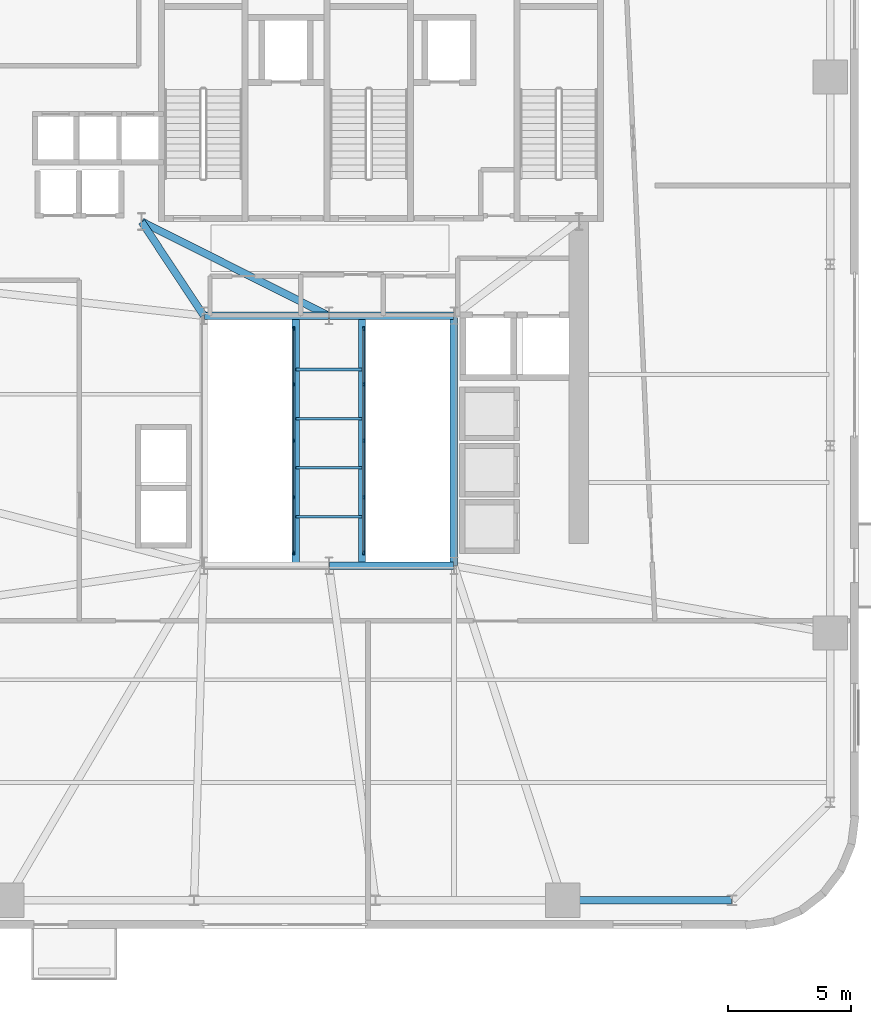
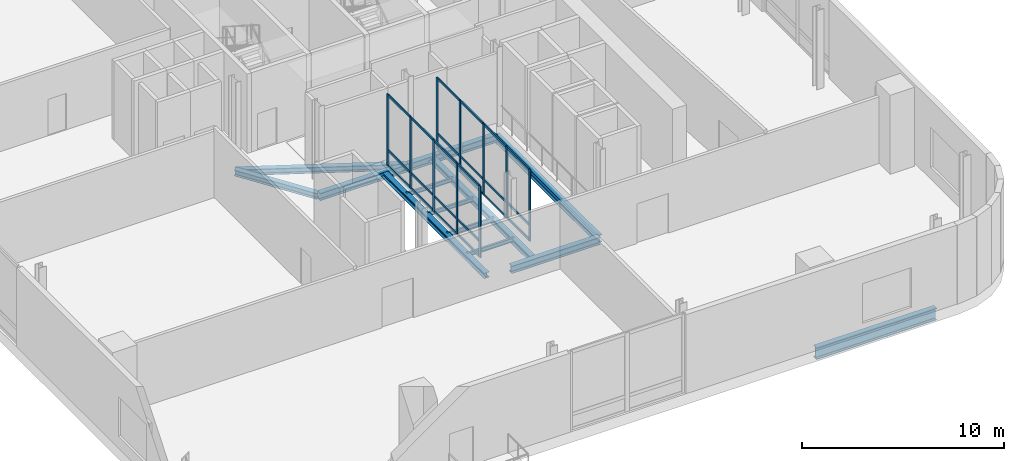
# One storey, part 4 of 14: 34 members, 13 beams, 2 elements without a shape of their own.
"""IFC4 building model written with IfcOpenShell, lengths in metres."""

from ifc_helpers import new_model, si_unit, direction, frame, origin, origin_2d, place, context, subcontext, project, spatial, rectangle, i_section, extrude, source, transform, mapped, material, material_profile, profile_set, type_object, element, aggregate, save


model = new_model("IFC4")

# Units and contexts
model_context = context("Model", 3, precision=1e-05, world=origin(), true_north=direction((0.0, 1.0)))
body_context = subcontext(model_context, "Body", "Model", "MODEL_VIEW")
ifc_project = project(units=[si_unit("LENGTHUNIT", "METRE"), si_unit("AREAUNIT", "SQUARE_METRE"), si_unit("VOLUMEUNIT", "CUBIC_METRE"), si_unit("PLANEANGLEUNIT", "RADIAN"), si_unit("MASSUNIT", "GRAM", prefix="KILO")], contexts=[model_context])

# Site, building, storey
site_placement = place(None, origin())
site = spatial("IfcSite", under=ifc_project, at=site_placement, CompositionType="ELEMENT")
building_placement = place(site_placement, origin())
building = spatial("IfcBuilding", under=site, at=building_placement, Name="Vardaveli Station Tower", CompositionType="ELEMENT")
storey_placement = place(building_placement, frame((0.0, 0.0, 172.199951171875)))
storey = spatial("IfcBuildingStorey", under=building, at=storey_placement, Name="L44", CompositionType="ELEMENT", Elevation=172.199951171875)

# Beams
ifc_material_1 = material(Name="Structural steel S355J2", Category="steel")
ifc_material_profile_1 = material_profile(ifc_material_1, i_section(OverallWidth=0.300048828125, OverallDepth=0.449951171875, WebThickness=0.013916015625, FlangeThickness=0.02587890625, FilletRadius=0.027099609375, at=origin_2d()), Name="HEB 450")
ifc_profile_set_1 = profile_set([ifc_material_profile_1], Name="Structural steel S355J2")
beam_type_1 = type_object("IfcBeamType", Name="BM-HEB450", PredefinedType="BEAM", material=ifc_profile_set_1)
shared_shape_1 = source(origin(), body_context, "Body", "SweptSolid", [
    extrude(i_section(OverallWidth=0.300048828125, OverallDepth=0.449951171875, WebThickness=0.013916015625, FlangeThickness=0.02587890625, FilletRadius=0.027099609375, at=origin_2d()), origin(), (0.0, 0.0, 1.0), 5.06005859375),
])
beam_1_placement = place(storey_placement, frame((36.280029296875, 26.800048828125, -0.875), z_axis=(-1.0, 0.0, 0.0), x_axis=(0.0, -1.0, 0.0)))
element("IfcBeam", 1, at=beam_1_placement, inside=storey, type_object=beam_type_1, Name="ABM-L44-05", PredefinedType="BEAM", context=body_context, shape_type="MappedRepresentation", body=[
    mapped(shared_shape_1, transform((0.0, 0.0, 0.0), scale=1.0)),
])
shared_shape_2 = source(origin(), body_context, "Body", "SweptSolid", [
    extrude(i_section(OverallWidth=0.300048828125, OverallDepth=0.449951171875, WebThickness=0.013916015625, FlangeThickness=0.02587890625, FilletRadius=0.027099609375, at=origin_2d()), origin(), (0.0, 0.0, 1.0), 5.059814453125),
])
for number, where, z_axis, x_axis, name in (
    (2, (36.320068359375, 16.60009765625, -0.875), (1.0, 0.0, 0.0), (0.0, 1.0, 0.0), "ABM-L44-02"),
    (3, (41.3798828125, 26.800048828125, -0.875), (-1.0, 0.0, 0.0), (0.0, -1.0, 0.0), "ABM-L44-04"),
):
    element("IfcBeam", number, at=place(storey_placement, frame(where, z_axis=z_axis, x_axis=x_axis)), inside=storey, type_object=beam_type_1, Name=name, PredefinedType="BEAM", context=body_context, shape_type="MappedRepresentation", body=[
        mapped(shared_shape_2, transform((0.0, 0.0, 0.0), scale=1.0)),
    ])
shared_shape_3 = source(origin(), body_context, "Body", "SweptSolid", [
    extrude(i_section(OverallWidth=0.300048828125, OverallDepth=0.449951171875, WebThickness=0.013916015625, FlangeThickness=0.02587890625, FilletRadius=0.027099609375, at=origin_2d()), origin(), (0.0, 0.0, 1.0), 10.159912109375),
])
beam_2_placement = place(storey_placement, frame((41.39990234375, 16.6201171875, -0.875), z_axis=(0.0, 1.0, 0.0), x_axis=(-1.0, 0.0, 0.0)))
element("IfcBeam", 4, at=beam_2_placement, inside=storey, type_object=beam_type_1, Name="ABM-L44-03", PredefinedType="BEAM", context=body_context, shape_type="MappedRepresentation", body=[
    mapped(shared_shape_3, transform((0.0, 0.0, 0.0), scale=1.0)),
])
ifc_material_profile_2 = material_profile(ifc_material_1, i_section(OverallWidth=0.300048828125, OverallDepth=0.360107421875, WebThickness=0.012451171875, FlangeThickness=0.0224609375, FilletRadius=0.027099609375, at=origin_2d()), Name="HEB 360")
ifc_profile_set_2 = profile_set([ifc_material_profile_2], Name="Structural steel S355J2")
beam_type_2 = type_object("IfcBeamType", Name="BM-HEB360", PredefinedType="BEAM", material=ifc_profile_set_2)
shared_shape_4 = source(origin(), body_context, "Body", "SweptSolid", [
    extrude(i_section(OverallWidth=0.300048828125, OverallDepth=0.360107421875, WebThickness=0.012451171875, FlangeThickness=0.0224609375, FilletRadius=0.027099609375, at=origin_2d()), origin(), (0.0, 0.0, 1.0), 4.577880859375),
])
beam_3_placement = place(storey_placement, frame((31.18896484375, 26.816650390625, -0.829833984375), z_axis=(-0.55218702139, 0.833720272879, 0.0), x_axis=(-0.833720272879, -0.55218702139, 0.0)))
element("IfcBeam", 5, at=beam_3_placement, inside=storey, type_object=beam_type_2, Name="CBM-L44-01", PredefinedType="BEAM", context=body_context, shape_type="MappedRepresentation", body=[
    mapped(shared_shape_4, transform((0.0, 0.0, 0.0), scale=1.0)),
])
shared_shape_5 = source(origin(), body_context, "Body", "SweptSolid", [
    extrude(i_section(OverallWidth=0.300048828125, OverallDepth=0.360107421875, WebThickness=0.012451171875, FlangeThickness=0.0224609375, FilletRadius=0.027099609375, at=origin_2d()), origin(), (0.0, 0.0, 1.0), 8.524169921875),
])
beam_4_placement = place(storey_placement, frame((28.66796875, 30.64111328125, -0.829833984375), z_axis=(0.893255584708, -0.449549174605, 0.0), x_axis=(0.449549174605, 0.893255584708, 0.0)))
element("IfcBeam", 6, at=beam_4_placement, inside=storey, type_object=beam_type_2, Name="CBM-L44-03", PredefinedType="BEAM", context=body_context, shape_type="MappedRepresentation", body=[
    mapped(shared_shape_5, transform((0.0, 0.0, 0.0), scale=1.0)),
])
ifc_material_2 = material(Name="Structural steel S460M", Category="steel")
ifc_material_profile_3 = material_profile(ifc_material_2, i_section(OverallWidth=0.303955078125, OverallDepth=0.716064453125, WebThickness=0.02099609375, FlangeThickness=0.0400390625, FilletRadius=0.027099609375, at=origin_2d()), Name="HEM 700")
ifc_profile_set_3 = profile_set([ifc_material_profile_3], Name="Structural steel S460M")
beam_type_3 = type_object("IfcBeamType", Name="BM-HEM700", PredefinedType="BEAM", material=ifc_profile_set_3)
shared_shape_6 = source(origin(), body_context, "Body", "SweptSolid", [
    extrude(i_section(OverallWidth=0.303955078125, OverallDepth=0.716064453125, WebThickness=0.02099609375, FlangeThickness=0.0400390625, FilletRadius=0.027099609375, at=origin_2d()), origin(), (0.0, 0.0, 1.0), 6.869873046875),
])
beam_5_placement = place(storey_placement, frame((45.860107421875, 2.949951171875, -1.008056640625), z_axis=(1.0, 0.0, 0.0), x_axis=(0.0, 1.0, 0.0)))
element("IfcBeam", 7, at=beam_5_placement, inside=storey, type_object=beam_type_3, Name="RBM-L44-04", PredefinedType="BEAM", context=body_context, shape_type="MappedRepresentation", body=[
    mapped(shared_shape_6, transform((0.0, 0.0, 0.0), scale=1.0)),
])
ifc_material_profile_4 = material_profile(ifc_material_1, i_section(OverallWidth=0.300048828125, OverallDepth=0.320068359375, WebThickness=0.011474609375, FlangeThickness=0.0205078125, FilletRadius=0.027099609375, at=origin_2d()), Name="HEB 320")
ifc_profile_set_4 = profile_set([ifc_material_profile_4], Name="Structural steel S355J2")
beam_type_4 = type_object("IfcBeamType", Name="BM-HEB320", PredefinedType="BEAM", material=ifc_profile_set_4)
shared_shape_7 = source(origin(), body_context, "Body", "SweptSolid", [
    extrude(i_section(OverallWidth=0.300048828125, OverallDepth=0.320068359375, WebThickness=0.011474609375, FlangeThickness=0.0205078125, FilletRadius=0.027099609375, at=origin_2d()), origin(), (0.0, 0.0, 1.0), 10.199951171875),
])
for number, where, z_axis, x_axis, name in (
    (8, (34.949951171875, 16.60009765625, -0.81005859375), (0.0, 1.0, 0.0), (-1.0, 0.0, 0.0), "BRG-L44-W"),
    (9, (37.64990234375, 16.60009765625, -0.81005859375), (0.0, 1.0, 0.0), (-1.0, 0.0, 0.0), "BRG-L44-E"),
):
    element("IfcBeam", number, at=place(storey_placement, frame(where, z_axis=z_axis, x_axis=x_axis)), inside=storey, type_object=beam_type_4, Name=name, PredefinedType="BEAM", context=body_context, shape_type="MappedRepresentation", body=[
        mapped(shared_shape_7, transform((0.0, 0.0, 0.0), scale=1.0)),
    ])
ifc_material_profile_5 = material_profile(ifc_material_1, i_section(OverallWidth=0.1201171875, OverallDepth=0.239990234375, WebThickness=0.006103515625, FlangeThickness=0.009765625, FilletRadius=0.014892578125, at=origin_2d()), Name="IPE 240")
ifc_profile_set_5 = profile_set([ifc_material_profile_5], Name="Structural steel S355J2")
beam_type_5 = type_object("IfcBeamType", Name="BM-IPE240", PredefinedType="JOIST", material=ifc_profile_set_5)
shared_shape_8 = source(origin(), body_context, "Body", "SweptSolid", [
    extrude(i_section(OverallWidth=0.1201171875, OverallDepth=0.239990234375, WebThickness=0.006103515625, FlangeThickness=0.009765625, FilletRadius=0.014892578125, at=origin_2d()), origin(), (0.0, 0.0, 1.0), 2.699951171875),
])
for number, where, z_axis, x_axis, name in (
    (10, (34.949951171875, 18.60009765625, -0.77001953125), (1.0, 0.0, 0.0), (0.0, 1.0, 0.0), "BRJ-L44-1"),
    (11, (34.949951171875, 20.60009765625, -0.77001953125), (1.0, 0.0, 0.0), (0.0, 1.0, 0.0), "BRJ-L44-2"),
    (12, (34.949951171875, 22.60009765625, -0.77001953125), (1.0, 0.0, 0.0), (0.0, 1.0, 0.0), "BRJ-L44-3"),
    (13, (34.949951171875, 24.60009765625, -0.77001953125), (1.0, 0.0, 0.0), (0.0, 1.0, 0.0), "BRJ-L44-4"),
):
    element("IfcBeam", number, at=place(storey_placement, frame(where, z_axis=z_axis, x_axis=x_axis)), inside=storey, type_object=beam_type_5, Name=name, PredefinedType="JOIST", context=body_context, shape_type="MappedRepresentation", body=[
        mapped(shared_shape_8, transform((0.0, 0.0, 0.0), scale=1.0)),
    ])

# Curtain wall, members
ifc_material_3 = material(Name="Travertine stone and solar-control glass", Category="masonry")
curtain_wall_type = type_object("IfcCurtainWallType", Name="CW-SYS-4", PredefinedType="NOTDEFINED", material=ifc_material_3)
curtain_wall_1_placement = place(storey_placement, origin())
curtain_wall_1 = element("IfcCurtainWall", 14, at=curtain_wall_1_placement, inside=storey, type_object=curtain_wall_type, Name="CW-L44-BRW", PredefinedType="NOTDEFINED")
ifc_material_4 = material(Name="Anodised aluminium alloy 6063-T6", Category="aluminium")
ifc_material_profile_6 = material_profile(ifc_material_4, rectangle(XDim=0.070068359375, YDim=0.135009765625, at=origin_2d()), Name="CWT 70x135")
ifc_profile_set_6 = profile_set([ifc_material_profile_6], Name="Anodised aluminium alloy 6063-T6")
member_type_1 = type_object("IfcMemberType", Name="CW-SYS-4-TRAN", PredefinedType="NOTDEFINED", material=ifc_profile_set_6)
shared_shape_9 = source(origin(), body_context, "Body", "SweptSolid", [
    extrude(rectangle(XDim=0.070068359375, YDim=0.135009765625, at=origin_2d()), origin(), (0.0, 0.0, 1.0), 2.195068359375),
])
member_1_placement = place(storey_placement, frame((34.8798828125, 17.169921875, 0.03515625), z_axis=(0.0, 1.0, 0.0), x_axis=(-1.0, 0.0, 0.0)))
member_1 = element("IfcMember", 15, at=member_1_placement, type_object=member_type_1, Name="CW-4 transom 1.1", ObjectType="TRANSOM", PredefinedType="USERDEFINED", context=body_context, shape_type="MappedRepresentation", body=[
    mapped(shared_shape_9, transform((0.0, 0.0, 0.0), scale=1.0)),
])
member_2_placement = place(storey_placement, frame((34.8798828125, 17.169921875, 0.949951171875), z_axis=(0.0, 1.0, 0.0), x_axis=(-1.0, 0.0, 0.0)))
member_2 = element("IfcMember", 16, at=member_2_placement, type_object=member_type_1, Name="CW-4 transom 1.2", ObjectType="TRANSOM", PredefinedType="USERDEFINED", context=body_context, shape_type="MappedRepresentation", body=[
    mapped(shared_shape_9, transform((0.0, 0.0, 0.0), scale=1.0)),
])
member_3_placement = place(storey_placement, frame((34.8798828125, 17.169921875, 4.28515625), z_axis=(0.0, 1.0, 0.0), x_axis=(-1.0, 0.0, 0.0)))
member_3 = element("IfcMember", 17, at=member_3_placement, type_object=member_type_1, Name="CW-4 transom 1.3", ObjectType="TRANSOM", PredefinedType="USERDEFINED", context=body_context, shape_type="MappedRepresentation", body=[
    mapped(shared_shape_9, transform((0.0, 0.0, 0.0), scale=1.0)),
])
member_4_placement = place(storey_placement, frame((34.8798828125, 24.034912109375, 0.03515625), z_axis=(0.0, 1.0, 0.0), x_axis=(-1.0, 0.0, 0.0)))
member_4 = element("IfcMember", 18, at=member_4_placement, type_object=member_type_1, Name="CW-4 transom 4.1", ObjectType="TRANSOM", PredefinedType="USERDEFINED", context=body_context, shape_type="MappedRepresentation", body=[
    mapped(shared_shape_9, transform((0.0, 0.0, 0.0), scale=1.0)),
])
member_5_placement = place(storey_placement, frame((34.8798828125, 24.034912109375, 0.949951171875), z_axis=(0.0, 1.0, 0.0), x_axis=(-1.0, 0.0, 0.0)))
member_5 = element("IfcMember", 19, at=member_5_placement, type_object=member_type_1, Name="CW-4 transom 4.2", ObjectType="TRANSOM", PredefinedType="USERDEFINED", context=body_context, shape_type="MappedRepresentation", body=[
    mapped(shared_shape_9, transform((0.0, 0.0, 0.0), scale=1.0)),
])
member_6_placement = place(storey_placement, frame((34.8798828125, 24.034912109375, 4.28515625), z_axis=(0.0, 1.0, 0.0), x_axis=(-1.0, 0.0, 0.0)))
member_6 = element("IfcMember", 20, at=member_6_placement, type_object=member_type_1, Name="CW-4 transom 4.3", ObjectType="TRANSOM", PredefinedType="USERDEFINED", context=body_context, shape_type="MappedRepresentation", body=[
    mapped(shared_shape_9, transform((0.0, 0.0, 0.0), scale=1.0)),
])

curtain_wall_2_placement = place(storey_placement, origin())
curtain_wall_2 = element("IfcCurtainWall", 21, at=curtain_wall_2_placement, inside=storey, type_object=curtain_wall_type, Name="CW-L44-BRE", PredefinedType="NOTDEFINED")
member_7_placement = place(storey_placement, frame((37.719970703125, 17.169921875, 0.03515625), z_axis=(0.0, 1.0, 0.0), x_axis=(-1.0, 0.0, 0.0)))
member_7 = element("IfcMember", 22, at=member_7_placement, type_object=member_type_1, Name="CW-4 transom 1.1", ObjectType="TRANSOM", PredefinedType="USERDEFINED", context=body_context, shape_type="MappedRepresentation", body=[
    mapped(shared_shape_9, transform((0.0, 0.0, 0.0), scale=1.0)),
])
member_8_placement = place(storey_placement, frame((37.719970703125, 17.169921875, 0.949951171875), z_axis=(0.0, 1.0, 0.0), x_axis=(-1.0, 0.0, 0.0)))
member_8 = element("IfcMember", 23, at=member_8_placement, type_object=member_type_1, Name="CW-4 transom 1.2", ObjectType="TRANSOM", PredefinedType="USERDEFINED", context=body_context, shape_type="MappedRepresentation", body=[
    mapped(shared_shape_9, transform((0.0, 0.0, 0.0), scale=1.0)),
])
member_9_placement = place(storey_placement, frame((37.719970703125, 17.169921875, 4.28515625), z_axis=(0.0, 1.0, 0.0), x_axis=(-1.0, 0.0, 0.0)))
member_9 = element("IfcMember", 24, at=member_9_placement, type_object=member_type_1, Name="CW-4 transom 1.3", ObjectType="TRANSOM", PredefinedType="USERDEFINED", context=body_context, shape_type="MappedRepresentation", body=[
    mapped(shared_shape_9, transform((0.0, 0.0, 0.0), scale=1.0)),
])
member_10_placement = place(storey_placement, frame((37.719970703125, 24.034912109375, 0.03515625), z_axis=(0.0, 1.0, 0.0), x_axis=(-1.0, 0.0, 0.0)))
member_10 = element("IfcMember", 25, at=member_10_placement, type_object=member_type_1, Name="CW-4 transom 4.1", ObjectType="TRANSOM", PredefinedType="USERDEFINED", context=body_context, shape_type="MappedRepresentation", body=[
    mapped(shared_shape_9, transform((0.0, 0.0, 0.0), scale=1.0)),
])
member_11_placement = place(storey_placement, frame((37.719970703125, 24.034912109375, 0.949951171875), z_axis=(0.0, 1.0, 0.0), x_axis=(-1.0, 0.0, 0.0)))
member_11 = element("IfcMember", 26, at=member_11_placement, type_object=member_type_1, Name="CW-4 transom 4.2", ObjectType="TRANSOM", PredefinedType="USERDEFINED", context=body_context, shape_type="MappedRepresentation", body=[
    mapped(shared_shape_9, transform((0.0, 0.0, 0.0), scale=1.0)),
])
member_12_placement = place(storey_placement, frame((37.719970703125, 24.034912109375, 4.28515625), z_axis=(0.0, 1.0, 0.0), x_axis=(-1.0, 0.0, 0.0)))
member_12 = element("IfcMember", 27, at=member_12_placement, type_object=member_type_1, Name="CW-4 transom 4.3", ObjectType="TRANSOM", PredefinedType="USERDEFINED", context=body_context, shape_type="MappedRepresentation", body=[
    mapped(shared_shape_9, transform((0.0, 0.0, 0.0), scale=1.0)),
])

# Member
shared_shape_10 = source(origin(), body_context, "Body", "SweptSolid", [
    extrude(rectangle(XDim=0.070068359375, YDim=0.135009765625, at=origin_2d()), origin(), (0.0, 0.0, 1.0), 2.22998046875),
])
member_13_placement = place(storey_placement, frame((34.8798828125, 19.43505859375, 0.03515625), z_axis=(0.0, 1.0, 0.0), x_axis=(-1.0, 0.0, 0.0)))
member_13 = element("IfcMember", 28, at=member_13_placement, type_object=member_type_1, Name="CW-4 transom 2.1", ObjectType="TRANSOM", PredefinedType="USERDEFINED", context=body_context, shape_type="MappedRepresentation", body=[
    mapped(shared_shape_10, transform((0.0, 0.0, 0.0), scale=1.0)),
])

member_14_placement = place(storey_placement, frame((34.8798828125, 19.43505859375, 0.949951171875), z_axis=(0.0, 1.0, 0.0), x_axis=(-1.0, 0.0, 0.0)))
member_14 = element("IfcMember", 29, at=member_14_placement, type_object=member_type_1, Name="CW-4 transom 2.2", ObjectType="TRANSOM", PredefinedType="USERDEFINED", context=body_context, shape_type="MappedRepresentation", body=[
    mapped(shared_shape_10, transform((0.0, 0.0, 0.0), scale=1.0)),
])

member_15_placement = place(storey_placement, frame((34.8798828125, 19.43505859375, 4.28515625), z_axis=(0.0, 1.0, 0.0), x_axis=(-1.0, 0.0, 0.0)))
member_15 = element("IfcMember", 30, at=member_15_placement, type_object=member_type_1, Name="CW-4 transom 2.3", ObjectType="TRANSOM", PredefinedType="USERDEFINED", context=body_context, shape_type="MappedRepresentation", body=[
    mapped(shared_shape_10, transform((0.0, 0.0, 0.0), scale=1.0)),
])

member_16_placement = place(storey_placement, frame((34.8798828125, 21.735107421875, 0.03515625), z_axis=(0.0, 1.0, 0.0), x_axis=(-1.0, 0.0, 0.0)))
member_16 = element("IfcMember", 31, at=member_16_placement, type_object=member_type_1, Name="CW-4 transom 3.1", ObjectType="TRANSOM", PredefinedType="USERDEFINED", context=body_context, shape_type="MappedRepresentation", body=[
    mapped(shared_shape_10, transform((0.0, 0.0, 0.0), scale=1.0)),
])

member_17_placement = place(storey_placement, frame((34.8798828125, 21.735107421875, 0.949951171875), z_axis=(0.0, 1.0, 0.0), x_axis=(-1.0, 0.0, 0.0)))
member_17 = element("IfcMember", 32, at=member_17_placement, type_object=member_type_1, Name="CW-4 transom 3.2", ObjectType="TRANSOM", PredefinedType="USERDEFINED", context=body_context, shape_type="MappedRepresentation", body=[
    mapped(shared_shape_10, transform((0.0, 0.0, 0.0), scale=1.0)),
])

member_18_placement = place(storey_placement, frame((34.8798828125, 21.735107421875, 4.28515625), z_axis=(0.0, 1.0, 0.0), x_axis=(-1.0, 0.0, 0.0)))
member_18 = element("IfcMember", 33, at=member_18_placement, type_object=member_type_1, Name="CW-4 transom 3.3", ObjectType="TRANSOM", PredefinedType="USERDEFINED", context=body_context, shape_type="MappedRepresentation", body=[
    mapped(shared_shape_10, transform((0.0, 0.0, 0.0), scale=1.0)),
])

member_19_placement = place(storey_placement, frame((37.719970703125, 19.43505859375, 0.03515625), z_axis=(0.0, 1.0, 0.0), x_axis=(-1.0, 0.0, 0.0)))
member_19 = element("IfcMember", 34, at=member_19_placement, type_object=member_type_1, Name="CW-4 transom 2.1", ObjectType="TRANSOM", PredefinedType="USERDEFINED", context=body_context, shape_type="MappedRepresentation", body=[
    mapped(shared_shape_10, transform((0.0, 0.0, 0.0), scale=1.0)),
])

member_20_placement = place(storey_placement, frame((37.719970703125, 19.43505859375, 0.949951171875), z_axis=(0.0, 1.0, 0.0), x_axis=(-1.0, 0.0, 0.0)))
member_20 = element("IfcMember", 35, at=member_20_placement, type_object=member_type_1, Name="CW-4 transom 2.2", ObjectType="TRANSOM", PredefinedType="USERDEFINED", context=body_context, shape_type="MappedRepresentation", body=[
    mapped(shared_shape_10, transform((0.0, 0.0, 0.0), scale=1.0)),
])

member_21_placement = place(storey_placement, frame((37.719970703125, 19.43505859375, 4.28515625), z_axis=(0.0, 1.0, 0.0), x_axis=(-1.0, 0.0, 0.0)))
member_21 = element("IfcMember", 36, at=member_21_placement, type_object=member_type_1, Name="CW-4 transom 2.3", ObjectType="TRANSOM", PredefinedType="USERDEFINED", context=body_context, shape_type="MappedRepresentation", body=[
    mapped(shared_shape_10, transform((0.0, 0.0, 0.0), scale=1.0)),
])

member_22_placement = place(storey_placement, frame((37.719970703125, 21.735107421875, 0.03515625), z_axis=(0.0, 1.0, 0.0), x_axis=(-1.0, 0.0, 0.0)))
member_22 = element("IfcMember", 37, at=member_22_placement, type_object=member_type_1, Name="CW-4 transom 3.1", ObjectType="TRANSOM", PredefinedType="USERDEFINED", context=body_context, shape_type="MappedRepresentation", body=[
    mapped(shared_shape_10, transform((0.0, 0.0, 0.0), scale=1.0)),
])

member_23_placement = place(storey_placement, frame((37.719970703125, 21.735107421875, 0.949951171875), z_axis=(0.0, 1.0, 0.0), x_axis=(-1.0, 0.0, 0.0)))
member_23 = element("IfcMember", 38, at=member_23_placement, type_object=member_type_1, Name="CW-4 transom 3.2", ObjectType="TRANSOM", PredefinedType="USERDEFINED", context=body_context, shape_type="MappedRepresentation", body=[
    mapped(shared_shape_10, transform((0.0, 0.0, 0.0), scale=1.0)),
])

member_24_placement = place(storey_placement, frame((37.719970703125, 21.735107421875, 4.28515625), z_axis=(0.0, 1.0, 0.0), x_axis=(-1.0, 0.0, 0.0)))
member_24 = element("IfcMember", 39, at=member_24_placement, type_object=member_type_1, Name="CW-4 transom 3.3", ObjectType="TRANSOM", PredefinedType="USERDEFINED", context=body_context, shape_type="MappedRepresentation", body=[
    mapped(shared_shape_10, transform((0.0, 0.0, 0.0), scale=1.0)),
])

ifc_material_profile_7 = material_profile(ifc_material_4, rectangle(XDim=0.070068359375, YDim=0.1650390625, at=origin_2d()), Name="CWM 70x165")
ifc_profile_set_7 = profile_set([ifc_material_profile_7], Name="Anodised aluminium alloy 6063-T6")
member_type_2 = type_object("IfcMemberType", Name="CW-SYS-4-MULL", PredefinedType="MULLION", material=ifc_profile_set_7)
shared_shape_11 = source(origin(), body_context, "Body", "SweptSolid", [
    extrude(rectangle(XDim=0.070068359375, YDim=0.1650390625, at=origin_2d()), origin(), (0.0, 0.0, 1.0), 4.320068359375),
])
member_25_placement = place(storey_placement, frame((34.8798828125, 17.135009765625, 0.0), z_axis=(0.0, 0.0, 1.0), x_axis=(-1.0, 0.0, 0.0)))
member_25 = element("IfcMember", 40, at=member_25_placement, type_object=member_type_2, Name="CW-4 mullion 1", PredefinedType="MULLION", context=body_context, shape_type="MappedRepresentation", body=[
    mapped(shared_shape_11, transform((0.0, 0.0, 0.0), scale=1.0)),
])

member_26_placement = place(storey_placement, frame((34.8798828125, 19.39990234375, 0.0), z_axis=(0.0, 0.0, 1.0), x_axis=(-1.0, 0.0, 0.0)))
member_26 = element("IfcMember", 41, at=member_26_placement, type_object=member_type_2, Name="CW-4 mullion 2", PredefinedType="MULLION", context=body_context, shape_type="MappedRepresentation", body=[
    mapped(shared_shape_11, transform((0.0, 0.0, 0.0), scale=1.0)),
])

member_27_placement = place(storey_placement, frame((34.8798828125, 21.699951171875, 0.0), z_axis=(0.0, 0.0, 1.0), x_axis=(-1.0, 0.0, 0.0)))
member_27 = element("IfcMember", 42, at=member_27_placement, type_object=member_type_2, Name="CW-4 mullion 3", PredefinedType="MULLION", context=body_context, shape_type="MappedRepresentation", body=[
    mapped(shared_shape_11, transform((0.0, 0.0, 0.0), scale=1.0)),
])

member_28_placement = place(storey_placement, frame((34.8798828125, 24.0, 0.0), z_axis=(0.0, 0.0, 1.0), x_axis=(-1.0, 0.0, 0.0)))
member_28 = element("IfcMember", 43, at=member_28_placement, type_object=member_type_2, Name="CW-4 mullion 4", PredefinedType="MULLION", context=body_context, shape_type="MappedRepresentation", body=[
    mapped(shared_shape_11, transform((0.0, 0.0, 0.0), scale=1.0)),
])

member_29_placement = place(storey_placement, frame((34.8798828125, 26.264892578125, 0.0), z_axis=(0.0, 0.0, 1.0), x_axis=(-1.0, 0.0, 0.0)))
member_29 = element("IfcMember", 44, at=member_29_placement, type_object=member_type_2, Name="CW-4 mullion 5", PredefinedType="MULLION", context=body_context, shape_type="MappedRepresentation", body=[
    mapped(shared_shape_11, transform((0.0, 0.0, 0.0), scale=1.0)),
])

aggregate(curtain_wall_1, [member_25, member_26, member_27, member_28, member_29, member_1, member_2, member_3, member_13, member_14, member_15, member_16, member_17, member_18, member_4, member_5, member_6])

member_30_placement = place(storey_placement, frame((37.719970703125, 17.135009765625, 0.0), z_axis=(0.0, 0.0, 1.0), x_axis=(-1.0, 0.0, 0.0)))
member_30 = element("IfcMember", 45, at=member_30_placement, type_object=member_type_2, Name="CW-4 mullion 1", PredefinedType="MULLION", context=body_context, shape_type="MappedRepresentation", body=[
    mapped(shared_shape_11, transform((0.0, 0.0, 0.0), scale=1.0)),
])

member_31_placement = place(storey_placement, frame((37.719970703125, 19.39990234375, 0.0), z_axis=(0.0, 0.0, 1.0), x_axis=(-1.0, 0.0, 0.0)))
member_31 = element("IfcMember", 46, at=member_31_placement, type_object=member_type_2, Name="CW-4 mullion 2", PredefinedType="MULLION", context=body_context, shape_type="MappedRepresentation", body=[
    mapped(shared_shape_11, transform((0.0, 0.0, 0.0), scale=1.0)),
])

member_32_placement = place(storey_placement, frame((37.719970703125, 21.699951171875, 0.0), z_axis=(0.0, 0.0, 1.0), x_axis=(-1.0, 0.0, 0.0)))
member_32 = element("IfcMember", 47, at=member_32_placement, type_object=member_type_2, Name="CW-4 mullion 3", PredefinedType="MULLION", context=body_context, shape_type="MappedRepresentation", body=[
    mapped(shared_shape_11, transform((0.0, 0.0, 0.0), scale=1.0)),
])

member_33_placement = place(storey_placement, frame((37.719970703125, 24.0, 0.0), z_axis=(0.0, 0.0, 1.0), x_axis=(-1.0, 0.0, 0.0)))
member_33 = element("IfcMember", 48, at=member_33_placement, type_object=member_type_2, Name="CW-4 mullion 4", PredefinedType="MULLION", context=body_context, shape_type="MappedRepresentation", body=[
    mapped(shared_shape_11, transform((0.0, 0.0, 0.0), scale=1.0)),
])

member_34_placement = place(storey_placement, frame((37.719970703125, 26.264892578125, 0.0), z_axis=(0.0, 0.0, 1.0), x_axis=(-1.0, 0.0, 0.0)))
member_34 = element("IfcMember", 49, at=member_34_placement, type_object=member_type_2, Name="CW-4 mullion 5", PredefinedType="MULLION", context=body_context, shape_type="MappedRepresentation", body=[
    mapped(shared_shape_11, transform((0.0, 0.0, 0.0), scale=1.0)),
])

aggregate(curtain_wall_2, [member_30, member_31, member_32, member_33, member_34, member_7, member_8, member_9, member_19, member_20, member_21, member_22, member_23, member_24, member_10, member_11, member_12])

save(model, "model.ifc")
